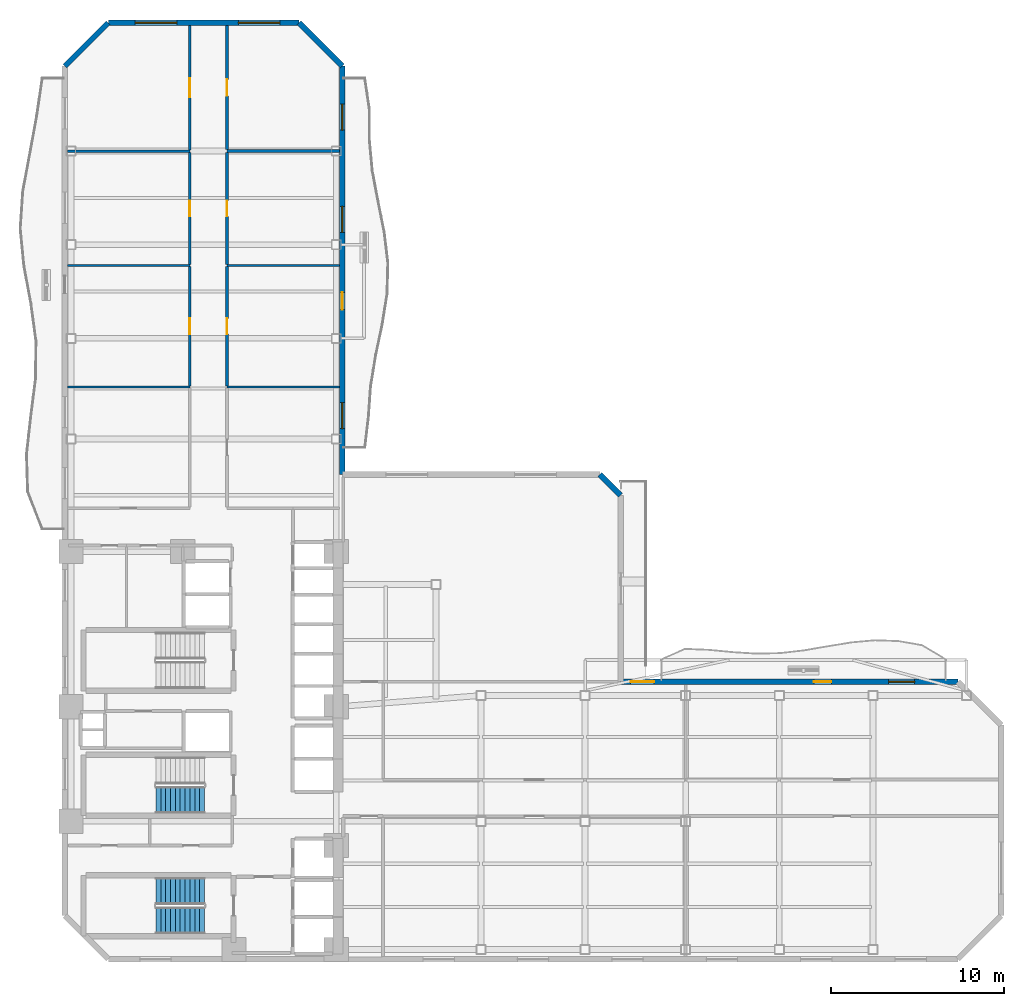
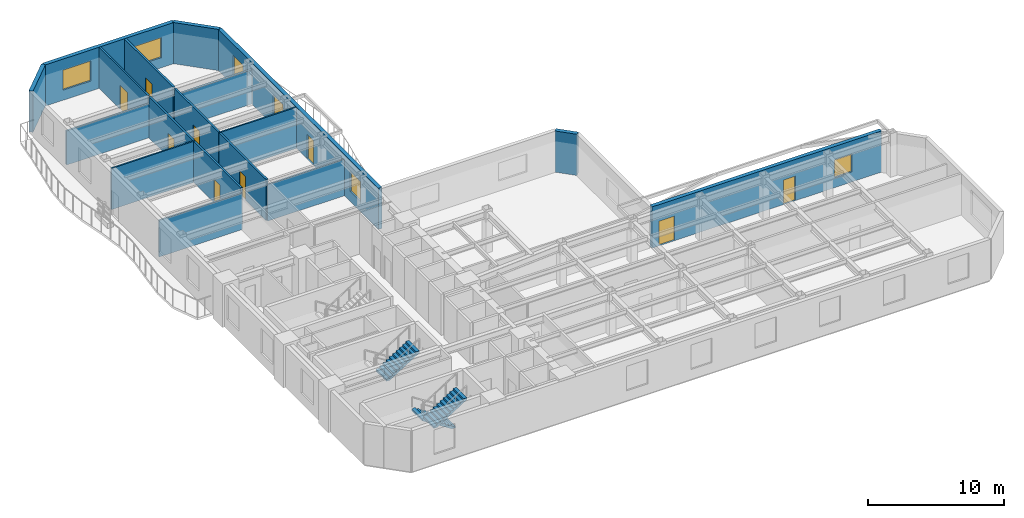
# One storey, part 6 of 10: 18 walls, 9 doors, 6 windows, 3 stair flights, 15 openings, 2 elements without a shape of their own.
"""IFC4 building model written with IfcOpenShell, lengths in metres."""

from ifc_helpers import new_model, si_unit, direction, frame, frame_2d, origin, place, context, subcontext, project, spatial, polyline, rectangle, outline, extrude, material, layer, layer_set, type_object, element, fill, aggregate, save


model = new_model("IFC4")

# Units and contexts
model_context = context("Model", 3, precision=1e-05, world=origin(), true_north=direction((0.0, 1.0)))
body_context = subcontext(model_context, "Body", "Model", "MODEL_VIEW")
ifc_project = project(units=[si_unit("LENGTHUNIT", "METRE"), si_unit("AREAUNIT", "SQUARE_METRE"), si_unit("VOLUMEUNIT", "CUBIC_METRE"), si_unit("PLANEANGLEUNIT", "RADIAN"), si_unit("MASSUNIT", "GRAM", prefix="KILO")], contexts=[model_context])

# Site, building, storey
site_placement = place(None, origin())
site = spatial("IfcSite", under=ifc_project, at=site_placement, CompositionType="ELEMENT")
building_placement = place(site_placement, origin())
building = spatial("IfcBuilding", under=site, at=building_placement, Name="Mawjaban Terraces University", CompositionType="ELEMENT")
storey_placement = place(building_placement, frame((0.0, 0.0, 42.699951171875)))
storey = spatial("IfcBuildingStorey", under=building, at=storey_placement, Name="L09", CompositionType="ELEMENT", Elevation=42.699951171875)

# Wall
ifc_material_1 = material(Name="Acoustic masonry blockwork", Category="masonry")
ifc_layer_1 = layer(ifc_material_1, 0.179931640625)
ifc_layer_set_1 = layer_set([ifc_layer_1], Name="Acoustic masonry blockwork")
wall_type_1 = type_object("IfcWallType", Name="AcousticStudioWall_180", PredefinedType="PARTITIONING", material=ifc_layer_set_1)
wall_1_placement = place(storey_placement, frame((37.844970703125, 46.60009765625, 0.0), z_axis=(0.0, 0.0, 1.0), x_axis=(-1.0, 0.0, 0.0)))
element("IfcWall", 1, at=wall_1_placement, inside=storey, type_object=wall_type_1, Name="L09 Student Tea Pantry 11 Partition 18", PredefinedType="PARTITIONING", context=body_context, shape_type="SweptSolid", body=[
    extrude(rectangle(XDim=6.494873046875, YDim=0.179931640625, at=frame_2d((3.24755859375, 0.0))), origin(), (0.0, 0.0, 1.0), 3.054931640625),
])

# Wall, opening, door
wall_2_placement = place(storey_placement, frame((31.35009765625, 46.68505859375, 0.0), z_axis=(0.0, 0.0, 1.0), x_axis=(0.0, 1.0, 0.0)))
wall_2 = element("IfcWall", 2, at=wall_2_placement, inside=storey, type_object=wall_type_1, Name="L09 North Academic Spine Corridor Partition 37", PredefinedType="PARTITIONING", context=body_context, shape_type="SweptSolid", body=[
    extrude(rectangle(XDim=7.159912109375, YDim=0.179931640625, at=frame_2d((3.580078125, 0.0))), origin(), (0.0, 0.0, 1.0), 3.68994140625),
])
opening_1_placement = place(wall_2_placement, frame((3.10498046875, 0.0, 0.0)))
opening_1 = element("IfcOpeningElement", 3, at=opening_1_placement, cuts=wall_2, Name="Opening ID-095", PredefinedType="OPENING", context=body_context, shape_type="SweptSolid", body=[
    extrude(rectangle(XDim=0.949951171875, YDim=2.10009765625, at=frame_2d((0.47509765625, 1.050048828125))), frame((0.0, 0.099853515625, 0.0), z_axis=(0.0, -1.0, 0.0), x_axis=(1.0, 0.0, 0.0)), (0.0, 0.0, 1.0), 0.199951171875),
])
ifc_material_2 = material(Name="Powder-coated steel frame and solid acoustic timber leaf", Category="steel")
door_type_1 = type_object("IfcDoorType", Name="StudioDoor_950x2100", OperationType="NOTDEFINED", PredefinedType="DOOR", material=ifc_material_2)
door_1_placement = place(opening_1_placement, origin())
door_1 = element("IfcDoor", 4, at=door_1_placement, inside=storey, type_object=door_type_1, Name="L09 Design Studio 13 Door", OperationType="SINGLE_SWING_LEFT", OverallHeight=2.10009765625, OverallWidth=0.949951171875, PredefinedType="DOOR", context=body_context, shape_type="SweptSolid", body=[
    extrude(rectangle(XDim=0.949951171875, YDim=2.10009765625, at=frame_2d((0.47509765625, 1.050048828125))), frame((0.0, 0.02490234375, 0.0), z_axis=(0.0, -1.0, 0.0), x_axis=(1.0, 0.0, 0.0)), (0.0, 0.0, 1.0), 0.050048828125),
])
fill(opening_1, door_1)

ifc_material_3 = material(Name="Fire-rated gypsum board on steel stud", Category="steel")
ifc_layer_2 = layer(ifc_material_3, 0.159912109375)
ifc_layer_set_2 = layer_set([ifc_layer_2], Name="Fire-rated gypsum board on steel stud")
wall_type_2 = type_object("IfcWallType", Name="CorridorPartition_160", PredefinedType="PARTITIONING", material=ifc_layer_set_2)
wall_3_placement = place(storey_placement, frame((29.199951171875, 39.943115234375, 0.0), z_axis=(0.0, 0.0, 1.0), x_axis=(0.0, -1.0, 0.0)))
wall_3 = element("IfcWall", 5, at=wall_3_placement, inside=storey, type_object=wall_type_2, Name="L09 North Academic Spine Corridor Partition 31", PredefinedType="PARTITIONING", context=body_context, shape_type="SweptSolid", body=[
    extrude(rectangle(XDim=6.88623046875, YDim=0.159912109375, at=frame_2d((3.443115234375, 0.0))), origin(), (0.0, 0.0, 1.0), 3.68994140625),
])
opening_2_placement = place(wall_3_placement, frame((2.992919921875, 0.0, 0.0)))
opening_2 = element("IfcOpeningElement", 6, at=opening_2_placement, cuts=wall_3, Name="Opening ID-090", PredefinedType="OPENING", context=body_context, shape_type="SweptSolid", body=[
    extrude(rectangle(XDim=0.89990234375, YDim=2.10009765625, at=frame_2d((0.449951171875, 1.050048828125))), frame((0.0, 0.08984375, 0.0), z_axis=(0.0, -1.0, 0.0), x_axis=(1.0, 0.0, 0.0)), (0.0, 0.0, 1.0), 0.179931640625),
])
door_type_2 = type_object("IfcDoorType", Name="OfficeDoor_900x2100", OperationType="NOTDEFINED", PredefinedType="DOOR", material=ifc_material_2)
door_2_placement = place(opening_2_placement, origin())
door_2 = element("IfcDoor", 7, at=door_2_placement, inside=storey, type_object=door_type_2, Name="L09 Faculty Office 8 Door", OperationType="SINGLE_SWING_RIGHT", OverallHeight=2.10009765625, OverallWidth=0.89990234375, PredefinedType="DOOR", context=body_context, shape_type="SweptSolid", body=[
    extrude(rectangle(XDim=0.89990234375, YDim=2.10009765625, at=frame_2d((0.449951171875, 1.050048828125))), frame((0.0, 0.02490234375, 0.0), z_axis=(0.0, -1.0, 0.0), x_axis=(1.0, 0.0, 0.0)), (0.0, 0.0, 1.0), 0.050048828125),
])
fill(opening_2, door_2)

wall_4_placement = place(storey_placement, frame((29.199951171875, 46.531982421875, 0.0), z_axis=(0.0, 0.0, 1.0), x_axis=(0.0, -1.0, 0.0)))
wall_4 = element("IfcWall", 8, at=wall_4_placement, inside=storey, type_object=wall_type_2, Name="L09 North Academic Spine Corridor Partition 32", PredefinedType="PARTITIONING", context=body_context, shape_type="SweptSolid", body=[
    extrude(rectangle(XDim=6.47509765625, YDim=0.159912109375, at=frame_2d((3.237548828125, 0.0))), origin(), (0.0, 0.0, 1.0), 3.68994140625),
])
opening_3_placement = place(wall_4_placement, frame((2.787109375, 0.0, 0.0)))
opening_3 = element("IfcOpeningElement", 9, at=opening_3_placement, cuts=wall_4, Name="Opening ID-090", PredefinedType="OPENING", context=body_context, shape_type="SweptSolid", body=[
    extrude(rectangle(XDim=0.89990234375, YDim=2.10009765625, at=frame_2d((0.449951171875, 1.050048828125))), frame((0.0, 0.08984375, 0.0), z_axis=(0.0, -1.0, 0.0), x_axis=(1.0, 0.0, 0.0)), (0.0, 0.0, 1.0), 0.179931640625),
])
door_3_placement = place(opening_3_placement, origin())
door_3 = element("IfcDoor", 10, at=door_3_placement, inside=storey, type_object=door_type_2, Name="L09 Faculty Office 10 Door", OperationType="SINGLE_SWING_RIGHT", OverallHeight=2.10009765625, OverallWidth=0.89990234375, PredefinedType="DOOR", context=body_context, shape_type="SweptSolid", body=[
    extrude(rectangle(XDim=0.89990234375, YDim=2.10009765625, at=frame_2d((0.449951171875, 1.050048828125))), frame((0.0, 0.02490234375, 0.0), z_axis=(0.0, -1.0, 0.0), x_axis=(1.0, 0.0, 0.0)), (0.0, 0.0, 1.0), 0.050048828125),
])
fill(opening_3, door_3)

wall_5_placement = place(storey_placement, frame((31.35009765625, 33.056884765625, 0.0), z_axis=(0.0, 0.0, 1.0), x_axis=(0.0, 1.0, 0.0)))
wall_5 = element("IfcWall", 11, at=wall_5_placement, inside=storey, type_object=wall_type_2, Name="L09 North Academic Spine Corridor Partition 35", PredefinedType="PARTITIONING", context=body_context, shape_type="SweptSolid", body=[
    extrude(rectangle(XDim=6.88623046875, YDim=0.159912109375, at=frame_2d((3.443115234375, 0.0))), origin(), (0.0, 0.0, 1.0), 3.68994140625),
])
opening_4_placement = place(wall_5_placement, frame((2.992919921875, 0.0, 0.0)))
opening_4 = element("IfcOpeningElement", 12, at=opening_4_placement, cuts=wall_5, Name="Opening ID-090", PredefinedType="OPENING", context=body_context, shape_type="SweptSolid", body=[
    extrude(rectangle(XDim=0.89990234375, YDim=2.10009765625, at=frame_2d((0.449951171875, 1.050048828125))), frame((0.0, 0.08984375, 0.0), z_axis=(0.0, -1.0, 0.0), x_axis=(1.0, 0.0, 0.0)), (0.0, 0.0, 1.0), 0.179931640625),
])
door_4_placement = place(opening_4_placement, origin())
door_4 = element("IfcDoor", 13, at=door_4_placement, inside=storey, type_object=door_type_2, Name="L09 Departmental Office 9 Door", OperationType="SINGLE_SWING_LEFT", OverallHeight=2.10009765625, OverallWidth=0.89990234375, PredefinedType="DOOR", context=body_context, shape_type="SweptSolid", body=[
    extrude(rectangle(XDim=0.89990234375, YDim=2.10009765625, at=frame_2d((0.449951171875, 1.050048828125))), frame((0.0, 0.02490234375, 0.0), z_axis=(0.0, -1.0, 0.0), x_axis=(1.0, 0.0, 0.0)), (0.0, 0.0, 1.0), 0.050048828125),
])
fill(opening_4, door_4)

wall_6_placement = place(storey_placement, frame((31.35009765625, 40.056884765625, 0.0), z_axis=(0.0, 0.0, 1.0), x_axis=(0.0, 1.0, 0.0)))
wall_6 = element("IfcWall", 14, at=wall_6_placement, inside=storey, type_object=wall_type_2, Name="L09 North Academic Spine Corridor Partition 36", PredefinedType="PARTITIONING", context=body_context, shape_type="SweptSolid", body=[
    extrude(rectangle(XDim=6.4580078125, YDim=0.159912109375, at=frame_2d((3.22900390625, 0.0))), origin(), (0.0, 0.0, 1.0), 3.68994140625),
])
opening_5_placement = place(wall_6_placement, frame((2.779052734375, 0.0, 0.0)))
opening_5 = element("IfcOpeningElement", 15, at=opening_5_placement, cuts=wall_6, Name="Opening ID-090", PredefinedType="OPENING", context=body_context, shape_type="SweptSolid", body=[
    extrude(rectangle(XDim=0.89990234375, YDim=2.10009765625, at=frame_2d((0.449951171875, 1.050048828125))), frame((0.0, 0.08984375, 0.0), z_axis=(0.0, -1.0, 0.0), x_axis=(1.0, 0.0, 0.0)), (0.0, 0.0, 1.0), 0.179931640625),
])
door_5_placement = place(opening_5_placement, origin())
door_5 = element("IfcDoor", 16, at=door_5_placement, inside=storey, type_object=door_type_2, Name="L09 Student Tea Pantry 11 Door", OperationType="SINGLE_SWING_LEFT", OverallHeight=2.10009765625, OverallWidth=0.89990234375, PredefinedType="DOOR", context=body_context, shape_type="SweptSolid", body=[
    extrude(rectangle(XDim=0.89990234375, YDim=2.10009765625, at=frame_2d((0.449951171875, 1.050048828125))), frame((0.0, 0.02490234375, 0.0), z_axis=(0.0, -1.0, 0.0), x_axis=(1.0, 0.0, 0.0)), (0.0, 0.0, 1.0), 0.050048828125),
])
fill(opening_5, door_5)

# Wall, openings, doors, window
ifc_material_4 = material(Name="Insulated terracotta rainscreen on concrete backup C40/50", Category="masonry")
ifc_layer_3 = layer(ifc_material_4, 0.320068359375)
ifc_layer_set_3 = layer_set([ifc_layer_3], Name="Insulated terracotta rainscreen on concrete backup C40/50")
wall_type_3 = type_object("IfcWallType", Name="ExtTerracottaWall_320", PredefinedType="SOLIDWALL", material=ifc_layer_set_3)
wall_7_placement = place(storey_placement, frame((73.5, 16.0, 0.0), z_axis=(0.0, 0.0, 1.0), x_axis=(-1.0, 0.0, 0.0)))
wall_7 = element("IfcWall", 17, at=wall_7_placement, inside=storey, type_object=wall_type_3, Name="L09 Exterior Terracotta Wall 5", PredefinedType="SOLIDWALL", context=body_context, shape_type="SweptSolid", body=[
    extrude(rectangle(XDim=19.449951171875, YDim=0.320068359375, at=frame_2d((9.72509765625, 0.0))), origin(), (0.0, 0.0, 1.0), 3.68994140625),
])
opening_6_placement = place(wall_7_placement, frame((7.300048828125, 0.0, 0.0)))
opening_6 = element("IfcOpeningElement", 18, at=opening_6_placement, cuts=wall_7, Name="Opening BD-100", PredefinedType="OPENING", context=body_context, shape_type="SweptSolid", body=[
    extrude(rectangle(XDim=1.0, YDim=2.199951171875, at=frame_2d((0.5, 1.10009765625))), frame((0.0, 0.169921875, 0.0), z_axis=(0.0, -1.0, 0.0), x_axis=(1.0, 0.0, 0.0)), (0.0, 0.0, 1.0), 0.340087890625),
])
opening_7_placement = place(wall_7_placement, frame((17.52490234375, 0.0, 0.0)))
opening_7 = element("IfcOpeningElement", 19, at=opening_7_placement, cuts=wall_7, Name="Opening TD-135", PredefinedType="OPENING", context=body_context, shape_type="SweptSolid", body=[
    extrude(rectangle(XDim=1.35009765625, YDim=2.199951171875, at=frame_2d((0.675048828125, 1.10009765625))), frame((0.0, 0.169921875, 0.0), z_axis=(0.0, -1.0, 0.0), x_axis=(1.0, 0.0, 0.0)), (0.0, 0.0, 1.0), 0.340087890625),
])
opening_8_placement = place(wall_7_placement, frame((2.491943359375, 0.0, 0.89990234375)))
opening_8 = element("IfcOpeningElement", 20, at=opening_8_placement, cuts=wall_7, Name="Opening W-02", PredefinedType="OPENING", context=body_context, shape_type="SweptSolid", body=[
    extrude(rectangle(XDim=1.5, YDim=1.60009765625, at=frame_2d((0.75, 0.800048828125))), frame((0.0, 0.169921875, 0.0), z_axis=(0.0, -1.0, 0.0), x_axis=(1.0, 0.0, 0.0)), (0.0, 0.0, 1.0), 0.340087890625),
])
ifc_material_5 = material(Name="Thermally broken anodised aluminium and laminated safety glass", Category="aluminium")
door_type_3 = type_object("IfcDoorType", Name="BalconyGlazedDoor_1000x2200", OperationType="NOTDEFINED", PredefinedType="DOOR", material=ifc_material_5)
door_6_placement = place(opening_6_placement, origin())
door_6 = element("IfcDoor", 21, at=door_6_placement, inside=storey, type_object=door_type_3, Name="L09 Balcony Access Door inner_north", OperationType="SINGLE_SWING_RIGHT", OverallHeight=2.199951171875, OverallWidth=1.0, PredefinedType="DOOR", context=body_context, shape_type="SweptSolid", body=[
    extrude(rectangle(XDim=1.0, YDim=2.199951171875, at=frame_2d((0.5, 1.10009765625))), frame((0.0, 0.02490234375, 0.0), z_axis=(0.0, -1.0, 0.0), x_axis=(1.0, 0.0, 0.0)), (0.0, 0.0, 1.0), 0.050048828125),
])
fill(opening_6, door_6)
door_type_4 = type_object("IfcDoorType", Name="TerraceGlazedDoor_1350x2200", OperationType="NOTDEFINED", PredefinedType="DOOR", material=ifc_material_5)
door_7_placement = place(opening_7_placement, origin())
door_7 = element("IfcDoor", 22, at=door_7_placement, inside=storey, type_object=door_type_4, Name="L09 Terrace Access Door TER-L09-CLIMB", OperationType="SINGLE_SWING_RIGHT", OverallHeight=2.199951171875, OverallWidth=1.35009765625, PredefinedType="DOOR", context=body_context, shape_type="SweptSolid", body=[
    extrude(rectangle(XDim=1.35009765625, YDim=2.199951171875, at=frame_2d((0.675048828125, 1.10009765625))), frame((0.0, 0.02490234375, 0.0), z_axis=(0.0, -1.0, 0.0), x_axis=(1.0, 0.0, 0.0)), (0.0, 0.0, 1.0), 0.050048828125),
])
fill(opening_7, door_7)
ifc_material_6 = material(Name="Low-E solar-control double glazing in thermally broken aluminium frame", Category="aluminium")
window_type_1 = type_object("IfcWindowType", Name="Win_1500x1600", PartitioningType="SINGLE_PANEL", PredefinedType="WINDOW", material=ifc_material_6)
window_1_placement = place(opening_8_placement, origin())
window_1 = element("IfcWindow", 23, at=window_1_placement, inside=storey, type_object=window_type_1, Name="L09 Facade Window 5.1", OverallHeight=1.60009765625, OverallWidth=1.5, PartitioningType="SINGLE_PANEL", PredefinedType="WINDOW", context=body_context, shape_type="SweptSolid", body=[
    extrude(rectangle(XDim=1.5, YDim=1.60009765625, at=frame_2d((0.75, 0.800048828125))), frame((0.0, 0.030029296875, 0.0), z_axis=(0.0, -1.0, 0.0), x_axis=(1.0, 0.0, 0.0)), (0.0, 0.0, 1.0), 0.06005859375),
])
fill(opening_8, window_1)

# Wall
wall_8_placement = place(storey_placement, frame((54.050048828125, 26.7470703125, 0.0), z_axis=(0.0, 0.0, 1.0), x_axis=(-0.707106781187, 0.707106781187, 0.0)))
element("IfcWall", 24, at=wall_8_placement, inside=storey, type_object=wall_type_3, Name="L09 Exterior Terracotta Wall 7", PredefinedType="SOLIDWALL", context=body_context, shape_type="SweptSolid", body=[
    extrude(rectangle(XDim=1.697021484375, YDim=0.320068359375, at=frame_2d((0.8486328125, 0.0))), origin(), (0.0, 0.0, 1.0), 3.68994140625),
])

# Wall, openings, door, windows
wall_9_placement = place(storey_placement, frame((38.0, 27.947021484375, 0.0), z_axis=(0.0, 0.0, 1.0), x_axis=(0.0, 1.0, 0.0)))
wall_9 = element("IfcWall", 25, at=wall_9_placement, inside=storey, type_object=wall_type_3, Name="L09 Exterior Terracotta Wall 9", PredefinedType="SOLIDWALL", context=body_context, shape_type="SweptSolid", body=[
    extrude(rectangle(XDim=23.552978515625, YDim=0.320068359375, at=frame_2d((11.7763671875, 0.0))), origin(), (0.0, 0.0, 1.0), 3.68994140625),
])
opening_9_placement = place(wall_9_placement, frame((9.5029296875, 0.0, 0.0)))
opening_9 = element("IfcOpeningElement", 26, at=opening_9_placement, cuts=wall_9, Name="Opening BD-100", PredefinedType="OPENING", context=body_context, shape_type="SweptSolid", body=[
    extrude(rectangle(XDim=1.0, YDim=2.199951171875, at=frame_2d((0.5, 1.10009765625))), frame((0.0, 0.169921875, 0.0), z_axis=(0.0, -1.0, 0.0), x_axis=(1.0, 0.0, 0.0)), (0.0, 0.0, 1.0), 0.340087890625),
])
opening_10_placement = place(wall_9_placement, frame((2.64404296875, 0.0, 0.89990234375)))
opening_10 = element("IfcOpeningElement", 27, at=opening_10_placement, cuts=wall_9, Name="Opening W-06", PredefinedType="OPENING", context=body_context, shape_type="SweptSolid", body=[
    extrude(rectangle(XDim=1.5, YDim=1.800048828125, at=frame_2d((0.75, 0.89990234375))), frame((0.0, 0.169921875, 0.0), z_axis=(0.0, -1.0, 0.0), x_axis=(1.0, 0.0, 0.0)), (0.0, 0.0, 1.0), 0.340087890625),
])
opening_11_placement = place(wall_9_placement, frame((13.970947265625, 0.0, 0.89990234375)))
opening_11 = element("IfcOpeningElement", 28, at=opening_11_placement, cuts=wall_9, Name="Opening W-06", PredefinedType="OPENING", context=body_context, shape_type="SweptSolid", body=[
    extrude(rectangle(XDim=1.5, YDim=1.800048828125, at=frame_2d((0.75, 0.89990234375))), frame((0.0, 0.169921875, 0.0), z_axis=(0.0, -1.0, 0.0), x_axis=(1.0, 0.0, 0.0)), (0.0, 0.0, 1.0), 0.340087890625),
])
opening_12_placement = place(wall_9_placement, frame((19.85888671875, 0.0, 0.89990234375)))
opening_12 = element("IfcOpeningElement", 29, at=opening_12_placement, cuts=wall_9, Name="Opening W-06", PredefinedType="OPENING", context=body_context, shape_type="SweptSolid", body=[
    extrude(rectangle(XDim=1.5, YDim=1.800048828125, at=frame_2d((0.75, 0.89990234375))), frame((0.0, 0.169921875, 0.0), z_axis=(0.0, -1.0, 0.0), x_axis=(1.0, 0.0, 0.0)), (0.0, 0.0, 1.0), 0.340087890625),
])
door_8_placement = place(opening_9_placement, origin())
door_8 = element("IfcDoor", 30, at=door_8_placement, inside=storey, type_object=door_type_3, Name="L09 Balcony Access Door inner_east", OperationType="SINGLE_SWING_RIGHT", OverallHeight=2.199951171875, OverallWidth=1.0, PredefinedType="DOOR", context=body_context, shape_type="SweptSolid", body=[
    extrude(rectangle(XDim=1.0, YDim=2.199951171875, at=frame_2d((0.5, 1.10009765625))), frame((0.0, 0.02490234375, 0.0), z_axis=(0.0, -1.0, 0.0), x_axis=(1.0, 0.0, 0.0)), (0.0, 0.0, 1.0), 0.050048828125),
])
fill(opening_9, door_8)
window_type_2 = type_object("IfcWindowType", Name="Win_1500x1800", PartitioningType="SINGLE_PANEL", PredefinedType="WINDOW", material=ifc_material_6)
window_2_placement = place(opening_10_placement, origin())
window_2 = element("IfcWindow", 31, at=window_2_placement, inside=storey, type_object=window_type_2, Name="L09 Facade Window 9.1", OverallHeight=1.800048828125, OverallWidth=1.5, PartitioningType="SINGLE_PANEL", PredefinedType="WINDOW", context=body_context, shape_type="SweptSolid", body=[
    extrude(rectangle(XDim=1.5, YDim=1.800048828125, at=frame_2d((0.75, 0.89990234375))), frame((0.0, 0.030029296875, 0.0), z_axis=(0.0, -1.0, 0.0), x_axis=(1.0, 0.0, 0.0)), (0.0, 0.0, 1.0), 0.06005859375),
])
fill(opening_10, window_2)
window_3_placement = place(opening_11_placement, origin())
window_3 = element("IfcWindow", 32, at=window_3_placement, inside=storey, type_object=window_type_2, Name="L09 Facade Window 9.3", OverallHeight=1.800048828125, OverallWidth=1.5, PartitioningType="SINGLE_PANEL", PredefinedType="WINDOW", context=body_context, shape_type="SweptSolid", body=[
    extrude(rectangle(XDim=1.5, YDim=1.800048828125, at=frame_2d((0.75, 0.89990234375))), frame((0.0, 0.030029296875, 0.0), z_axis=(0.0, -1.0, 0.0), x_axis=(1.0, 0.0, 0.0)), (0.0, 0.0, 1.0), 0.06005859375),
])
fill(opening_11, window_3)
window_4_placement = place(opening_12_placement, origin())
window_4 = element("IfcWindow", 33, at=window_4_placement, inside=storey, type_object=window_type_2, Name="L09 Facade Window 9.4", OverallHeight=1.800048828125, OverallWidth=1.5, PartitioningType="SINGLE_PANEL", PredefinedType="WINDOW", context=body_context, shape_type="SweptSolid", body=[
    extrude(rectangle(XDim=1.5, YDim=1.800048828125, at=frame_2d((0.75, 0.89990234375))), frame((0.0, 0.030029296875, 0.0), z_axis=(0.0, -1.0, 0.0), x_axis=(1.0, 0.0, 0.0)), (0.0, 0.0, 1.0), 0.06005859375),
])
fill(opening_12, window_4)

# Wall
wall_10_placement = place(storey_placement, frame((38.0, 51.5, 0.0), z_axis=(0.0, 0.0, 1.0), x_axis=(-0.707106781187, 0.707106781187, 0.0)))
element("IfcWall", 34, at=wall_10_placement, inside=storey, type_object=wall_type_3, Name="L09 Exterior Terracotta Wall 10", PredefinedType="SOLIDWALL", context=body_context, shape_type="SweptSolid", body=[
    extrude(rectangle(XDim=3.53564453125, YDim=0.320068359375, at=frame_2d((1.767822265625, 0.0))), origin(), (0.0, 0.0, 1.0), 3.68994140625),
])

# Wall, openings, windows
wall_11_placement = place(storey_placement, frame((35.5, 54.0, 0.0), z_axis=(0.0, 0.0, 1.0), x_axis=(-1.0, 0.0, 0.0)))
wall_11 = element("IfcWall", 35, at=wall_11_placement, inside=storey, type_object=wall_type_3, Name="L09 Exterior Terracotta Wall 11", PredefinedType="SOLIDWALL", context=body_context, shape_type="SweptSolid", body=[
    extrude(rectangle(XDim=11.0, YDim=0.320068359375, at=frame_2d((5.5, 0.0))), origin(), (0.0, 0.0, 1.0), 3.68994140625),
])
opening_13_placement = place(wall_11_placement, frame((1.10009765625, 0.0, 0.89990234375)))
opening_13 = element("IfcOpeningElement", 36, at=opening_13_placement, cuts=wall_11, Name="Opening W-08", PredefinedType="OPENING", context=body_context, shape_type="SweptSolid", body=[
    extrude(rectangle(XDim=2.39990234375, YDim=1.800048828125, at=frame_2d((1.199951171875, 0.89990234375))), frame((0.0, 0.169921875, 0.0), z_axis=(0.0, -1.0, 0.0), x_axis=(1.0, 0.0, 0.0)), (0.0, 0.0, 1.0), 0.340087890625),
])
opening_14_placement = place(wall_11_placement, frame((7.050048828125, 0.0, 0.89990234375)))
opening_14 = element("IfcOpeningElement", 37, at=opening_14_placement, cuts=wall_11, Name="Opening W-08", PredefinedType="OPENING", context=body_context, shape_type="SweptSolid", body=[
    extrude(rectangle(XDim=2.39990234375, YDim=1.800048828125, at=frame_2d((1.199951171875, 0.89990234375))), frame((0.0, 0.169921875, 0.0), z_axis=(0.0, -1.0, 0.0), x_axis=(1.0, 0.0, 0.0)), (0.0, 0.0, 1.0), 0.340087890625),
])
window_type_3 = type_object("IfcWindowType", Name="Win_2400x1800", PartitioningType="SINGLE_PANEL", PredefinedType="WINDOW", material=ifc_material_6)
window_5_placement = place(opening_13_placement, origin())
window_5 = element("IfcWindow", 38, at=window_5_placement, inside=storey, type_object=window_type_3, Name="L09 Facade Window 11.1", OverallHeight=1.800048828125, OverallWidth=2.39990234375, PartitioningType="SINGLE_PANEL", PredefinedType="WINDOW", context=body_context, shape_type="SweptSolid", body=[
    extrude(rectangle(XDim=2.39990234375, YDim=1.800048828125, at=frame_2d((1.199951171875, 0.89990234375))), frame((0.0, 0.030029296875, 0.0), z_axis=(0.0, -1.0, 0.0), x_axis=(1.0, 0.0, 0.0)), (0.0, 0.0, 1.0), 0.06005859375),
])
fill(opening_13, window_5)
window_6_placement = place(opening_14_placement, origin())
window_6 = element("IfcWindow", 39, at=window_6_placement, inside=storey, type_object=window_type_3, Name="L09 Facade Window 11.2", OverallHeight=1.800048828125, OverallWidth=2.39990234375, PartitioningType="SINGLE_PANEL", PredefinedType="WINDOW", context=body_context, shape_type="SweptSolid", body=[
    extrude(rectangle(XDim=2.39990234375, YDim=1.800048828125, at=frame_2d((1.199951171875, 0.89990234375))), frame((0.0, 0.030029296875, 0.0), z_axis=(0.0, -1.0, 0.0), x_axis=(1.0, 0.0, 0.0)), (0.0, 0.0, 1.0), 0.06005859375),
])
fill(opening_14, window_6)

# Walls
wall_12_placement = place(storey_placement, frame((24.5, 54.0, 0.0), z_axis=(0.0, 0.0, 1.0), x_axis=(-0.707106781187, -0.707106781187, 0.0)))
element("IfcWall", 40, at=wall_12_placement, inside=storey, type_object=wall_type_3, Name="L09 Exterior Terracotta Wall 12", PredefinedType="SOLIDWALL", context=body_context, shape_type="SweptSolid", body=[
    extrude(rectangle(XDim=3.53564453125, YDim=0.320068359375, at=frame_2d((1.767822265625, 0.0))), origin(), (0.0, 0.0, 1.0), 3.68994140625),
])
ifc_material_7 = material(Name="Moisture-resistant gypsum board on steel stud", Category="steel")
ifc_layer_4 = layer(ifc_material_7, 0.14501953125)
ifc_layer_set_4 = layer_set([ifc_layer_4], Name="Moisture-resistant gypsum board on steel stud")
wall_type_4 = type_object("IfcWallType", Name="LabPartition_145", PredefinedType="PARTITIONING", material=ifc_layer_set_4)
wall_13_placement = place(storey_placement, frame((29.199951171875, 46.60009765625, 0.0), z_axis=(0.0, 0.0, 1.0), x_axis=(-1.0, 0.0, 0.0)))
element("IfcWall", 41, at=wall_13_placement, inside=storey, type_object=wall_type_4, Name="L09 Faculty Office 10 Partition 10", PredefinedType="PARTITIONING", context=body_context, shape_type="SweptSolid", body=[
    extrude(rectangle(XDim=7.044921875, YDim=0.14501953125, at=frame_2d((3.5224609375, 0.0))), origin(), (0.0, 0.0, 1.0), 3.054931640625),
])

# Wall, opening, door
wall_14_placement = place(storey_placement, frame((29.199951171875, 53.844970703125, 0.0), z_axis=(0.0, 0.0, 1.0), x_axis=(0.0, -1.0, 0.0)))
wall_14 = element("IfcWall", 42, at=wall_14_placement, inside=storey, type_object=wall_type_4, Name="L09 North Academic Spine Corridor Partition 33", PredefinedType="PARTITIONING", context=body_context, shape_type="SweptSolid", body=[
    extrude(rectangle(XDim=7.177001953125, YDim=0.14501953125, at=frame_2d((3.58837890625, 0.0))), origin(), (0.0, 0.0, 1.0), 3.68994140625),
])
opening_15_placement = place(wall_14_placement, frame((3.0380859375, 0.0, 0.0)))
opening_15 = element("IfcOpeningElement", 43, at=opening_15_placement, cuts=wall_14, Name="Opening ID-110", PredefinedType="OPENING", context=body_context, shape_type="SweptSolid", body=[
    extrude(rectangle(XDim=1.10009765625, YDim=2.14990234375, at=frame_2d((0.550048828125, 1.074951171875))), frame((0.0, 0.08251953125, 0.0), z_axis=(0.0, -1.0, 0.0), x_axis=(1.0, 0.0, 0.0)), (0.0, 0.0, 1.0), 0.1650390625),
])
door_type_5 = type_object("IfcDoorType", Name="LabDoor_1100x2150", OperationType="NOTDEFINED", PredefinedType="DOOR", material=ifc_material_2)
door_9_placement = place(opening_15_placement, origin())
door_9 = element("IfcDoor", 44, at=door_9_placement, inside=storey, type_object=door_type_5, Name="L09 Teaching Laboratory 12 Door", OperationType="SINGLE_SWING_RIGHT", OverallHeight=2.14990234375, OverallWidth=1.10009765625, PredefinedType="DOOR", context=body_context, shape_type="SweptSolid", body=[
    extrude(rectangle(XDim=1.10009765625, YDim=2.14990234375, at=frame_2d((0.550048828125, 1.074951171875))), frame((0.0, 0.02490234375, 0.0), z_axis=(0.0, -1.0, 0.0), x_axis=(1.0, 0.0, 0.0)), (0.0, 0.0, 1.0), 0.050048828125),
])
fill(opening_15, door_9)

# Walls
ifc_material_8 = material(Name="Gypsum plasterboard on steel stud", Category="steel")
ifc_layer_5 = layer(ifc_material_8, 0.125)
ifc_layer_set_5 = layer_set([ifc_layer_5], Name="Gypsum plasterboard on steel stud")
wall_type_5 = type_object("IfcWallType", Name="OfficePartition_125", PredefinedType="PARTITIONING", material=ifc_layer_set_5)
wall_15_placement = place(storey_placement, frame((29.199951171875, 33.0, 0.0), z_axis=(0.0, 0.0, 1.0), x_axis=(-1.0, 0.0, 0.0)))
element("IfcWall", 45, at=wall_15_placement, inside=storey, type_object=wall_type_5, Name="L09 Departmental Office 6 Partition 8", PredefinedType="PARTITIONING", context=body_context, shape_type="SweptSolid", body=[
    extrude(rectangle(XDim=7.044921875, YDim=0.125, at=frame_2d((3.5224609375, 0.0))), origin(), (0.0, 0.0, 1.0), 3.277099609375),
])
wall_16_placement = place(storey_placement, frame((29.199951171875, 40.0, 0.0), z_axis=(0.0, 0.0, 1.0), x_axis=(-1.0, 0.0, 0.0)))
element("IfcWall", 46, at=wall_16_placement, inside=storey, type_object=wall_type_5, Name="L09 Faculty Office 8 Partition 9", PredefinedType="PARTITIONING", context=body_context, shape_type="SweptSolid", body=[
    extrude(rectangle(XDim=7.044921875, YDim=0.125, at=frame_2d((3.5224609375, 0.0))), origin(), (0.0, 0.0, 1.0), 3.68994140625),
])
wall_17_placement = place(storey_placement, frame((37.844970703125, 33.0, 0.0), z_axis=(0.0, 0.0, 1.0), x_axis=(-1.0, 0.0, 0.0)))
element("IfcWall", 47, at=wall_17_placement, inside=storey, type_object=wall_type_5, Name="L09 Academic Workspace 7 Partition 16", PredefinedType="PARTITIONING", context=body_context, shape_type="SweptSolid", body=[
    extrude(rectangle(XDim=6.494873046875, YDim=0.125, at=frame_2d((3.24755859375, 0.0))), origin(), (0.0, 0.0, 1.0), 3.277099609375),
])
wall_18_placement = place(storey_placement, frame((37.844970703125, 40.0, 0.0), z_axis=(0.0, 0.0, 1.0), x_axis=(-1.0, 0.0, 0.0)))
element("IfcWall", 48, at=wall_18_placement, inside=storey, type_object=wall_type_5, Name="L09 Departmental Office 9 Partition 17", PredefinedType="PARTITIONING", context=body_context, shape_type="SweptSolid", body=[
    extrude(rectangle(XDim=6.494873046875, YDim=0.125, at=frame_2d((3.24755859375, 0.0))), origin(), (0.0, 0.0, 1.0), 3.68994140625),
])

# Stair, stair flights
ifc_material_9 = material(Name="Concrete C40/50", Category="concrete")
stair_type = type_object("IfcStairType", Name="Stair_Core1550_H39", PredefinedType="HALF_TURN_STAIR", material=ifc_material_9)
stair_1_placement = place(storey_placement, origin())
stair_1 = element("IfcStair", 49, at=stair_1_placement, inside=storey, type_object=stair_type, Name="L09 Core Exit Stair 1", PredefinedType="HALF_TURN_STAIR")
stair_flight_type = type_object("IfcStairFlightType", Name="Flight_Core1550_H39", PredefinedType="STRAIGHT", material=ifc_material_9)
stair_flight_1_placement = place(storey_placement, frame((30.050048828125, 3.925048828125, 0.0), z_axis=(0.0, 0.0, 1.0), x_axis=(-1.0, 0.0, 0.0)))
stair_flight_1 = element("IfcStairFlight", 50, at=stair_flight_1_placement, type_object=stair_flight_type, Name="ST-1 flight 1", NumberOfRisers=11, NumberOfTreads=10, PredefinedType="STRAIGHT", RiserHeight=0.177272727, TreadLength=0.28, context=body_context, shape_type="SweptSolid", body=[
    extrude(outline(polyline([(0.0, 0.0), (0.0, 0.17724609375), (0.280029296875, 0.17724609375), (0.280029296875, 0.3544921875), (0.56005859375, 0.3544921875), (0.56005859375, 0.53173828125), (0.840087890625, 0.53173828125), (0.840087890625, 0.708984375), (1.1201171875, 0.708984375), (1.1201171875, 0.886474609375), (1.39990234375, 0.886474609375), (1.39990234375, 1.063720703125), (1.679931640625, 1.063720703125), (1.679931640625, 1.240966796875), (1.9599609375, 1.240966796875), (1.9599609375, 1.418212890625), (2.239990234375, 1.418212890625), (2.239990234375, 1.595458984375), (2.52001953125, 1.595458984375), (2.52001953125, 1.772705078125), (2.800048828125, 1.772705078125), (2.800048828125, 1.949951171875), (2.800048828125, 1.59521484375), (0.2802734375, 0.0), (0.0, 0.0)])), frame((0.0, 0.77490234375, 0.0), z_axis=(0.0, -1.0, 0.0), x_axis=(1.0, 0.0, 0.0)), (0.0, 0.0, 1.0), 1.550048828125),
])
stair_flight_2_placement = place(storey_placement, frame((27.25, 2.22509765625, 1.949951171875), z_axis=(0.0, 0.0, 1.0), x_axis=(1.0, 0.0, 0.0)))
stair_flight_2 = element("IfcStairFlight", 51, at=stair_flight_2_placement, type_object=stair_flight_type, Name="ST-1 flight 2", NumberOfRisers=11, NumberOfTreads=10, PredefinedType="STRAIGHT", RiserHeight=0.177272727, TreadLength=0.28, context=body_context, shape_type="SweptSolid", body=[
    extrude(outline(polyline([(0.0, 0.0), (0.0, 0.17724609375), (0.280029296875, 0.17724609375), (0.280029296875, 0.3544921875), (0.56005859375, 0.3544921875), (0.56005859375, 0.53173828125), (0.840087890625, 0.53173828125), (0.840087890625, 0.708984375), (1.1201171875, 0.708984375), (1.1201171875, 0.886474609375), (1.39990234375, 0.886474609375), (1.39990234375, 1.063720703125), (1.679931640625, 1.063720703125), (1.679931640625, 1.240966796875), (1.9599609375, 1.240966796875), (1.9599609375, 1.418212890625), (2.239990234375, 1.418212890625), (2.239990234375, 1.595458984375), (2.52001953125, 1.595458984375), (2.52001953125, 1.772705078125), (2.800048828125, 1.772705078125), (2.800048828125, 1.949951171875), (2.800048828125, 1.59521484375), (0.2802734375, 0.0), (0.0, 0.0)])), frame((0.0, 0.77490234375, 0.0), z_axis=(0.0, -1.0, 0.0), x_axis=(1.0, 0.0, 0.0)), (0.0, 0.0, 1.0), 1.550048828125),
])
aggregate(stair_1, [stair_flight_1, stair_flight_2])

# Stair, stair flight
stair_2_placement = place(storey_placement, origin())
stair_2 = element("IfcStair", 52, at=stair_2_placement, inside=storey, type_object=stair_type, Name="L09 Core Exit Stair 3", PredefinedType="HALF_TURN_STAIR")
stair_flight_3_placement = place(storey_placement, frame((27.25, 9.175048828125, 1.949951171875), z_axis=(0.0, 0.0, 1.0), x_axis=(1.0, 0.0, 0.0)))
stair_flight_3 = element("IfcStairFlight", 53, at=stair_flight_3_placement, type_object=stair_flight_type, Name="ST-3 flight 2", NumberOfRisers=11, NumberOfTreads=10, PredefinedType="STRAIGHT", RiserHeight=0.177272727, TreadLength=0.28, context=body_context, shape_type="SweptSolid", body=[
    extrude(outline(polyline([(0.0, 0.0), (0.0, 0.17724609375), (0.280029296875, 0.17724609375), (0.280029296875, 0.3544921875), (0.56005859375, 0.3544921875), (0.56005859375, 0.53173828125), (0.840087890625, 0.53173828125), (0.840087890625, 0.708984375), (1.1201171875, 0.708984375), (1.1201171875, 0.886474609375), (1.39990234375, 0.886474609375), (1.39990234375, 1.063720703125), (1.679931640625, 1.063720703125), (1.679931640625, 1.240966796875), (1.9599609375, 1.240966796875), (1.9599609375, 1.418212890625), (2.239990234375, 1.418212890625), (2.239990234375, 1.595458984375), (2.52001953125, 1.595458984375), (2.52001953125, 1.772705078125), (2.800048828125, 1.772705078125), (2.800048828125, 1.949951171875), (2.800048828125, 1.59521484375), (0.2802734375, 0.0), (0.0, 0.0)])), frame((0.0, 0.77490234375, 0.0), z_axis=(0.0, -1.0, 0.0), x_axis=(1.0, 0.0, 0.0)), (0.0, 0.0, 1.0), 1.550048828125),
])
aggregate(stair_2, [stair_flight_3])

save(model, "model.ifc")
